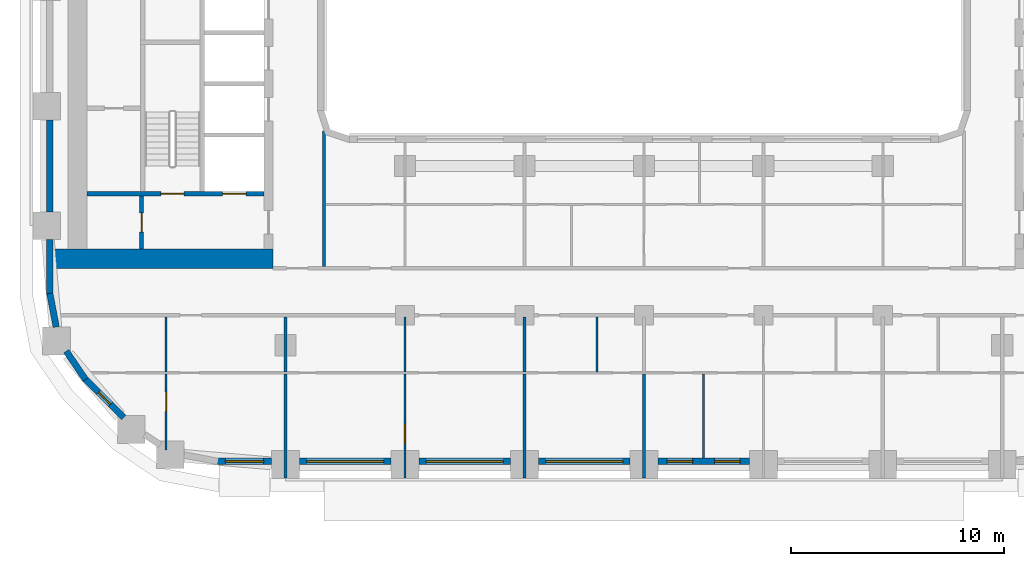
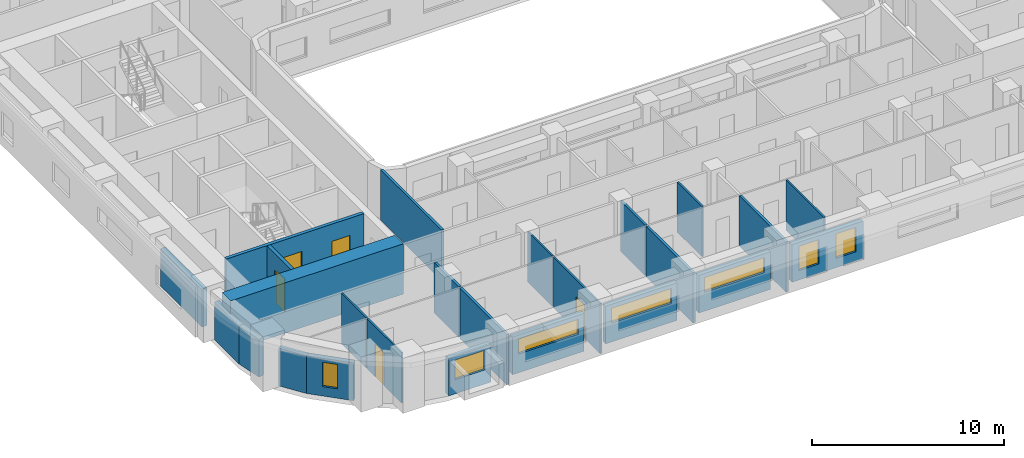
# One storey, part 2 of 22: 25 walls, 7 windows, 5 doors, 12 openings.
"""IFC4 building model written with IfcOpenShell, lengths in metres."""

from ifc_helpers import new_model, si_unit, direction, frame, frame_2d, origin, place, context, subcontext, project, spatial, rectangle, extrude, material, layer, layer_set, type_object, element, fill, save


model = new_model("IFC4")

# Units and contexts
model_context = context("Model", 3, precision=1e-05, world=origin(), true_north=direction((0.0, 1.0)))
body_context = subcontext(model_context, "Body", "Model", "MODEL_VIEW")
ifc_project = project(units=[si_unit("LENGTHUNIT", "METRE"), si_unit("AREAUNIT", "SQUARE_METRE"), si_unit("VOLUMEUNIT", "CUBIC_METRE"), si_unit("PLANEANGLEUNIT", "RADIAN"), si_unit("MASSUNIT", "GRAM", prefix="KILO")], contexts=[model_context])

# Site, building, storey
site_placement = place(None, origin())
site = spatial("IfcSite", under=ifc_project, at=site_placement, CompositionType="ELEMENT")
building_placement = place(site_placement, origin())
building = spatial("IfcBuilding", under=site, at=building_placement, Name="Kiln Ring Residences", CompositionType="ELEMENT")
storey_placement = place(building_placement, frame((0.0, 0.0, 97.300048828125)))
storey = spatial("IfcBuildingStorey", under=building, at=storey_placement, Name="L24", CompositionType="ELEMENT", Elevation=97.300048828125)

# Wall, opening, door
ifc_material_1 = material(Name="Gypsum board on steel studs", Category="steel")
ifc_layer_1 = layer(ifc_material_1, 0.199951171875)
ifc_layer_set_1 = layer_set([ifc_layer_1], Name="CORE-PARTITION-200")
wall_type_1 = type_object("IfcWallType", Name="CORE-PARTITION-200", PredefinedType="PARTITIONING", material=ifc_layer_set_1)
wall_1_placement = place(storey_placement, frame((-23.550048828125, -12.300048828125, 0.0), z_axis=(0.0, 0.0, 1.0), x_axis=(0.0, 1.0, 0.0)))
wall_1 = element("IfcWall", 1, at=wall_1_placement, inside=storey, type_object=wall_type_1, Name="Core partition west L24 4", PredefinedType="PARTITIONING", context=body_context, shape_type="SweptSolid", body=[
    extrude(rectangle(XDim=2.5, YDim=0.199951171875, at=frame_2d((1.25, 0.0))), origin(), (0.0, 0.0, 1.0), 3.199951171875),
])
opening_1_placement = place(wall_1_placement, frame((0.800048828125, 0.0, 0.0)))
opening_1 = element("IfcOpeningElement", 2, at=opening_1_placement, cuts=wall_1, Name="Opening L24-CW10", PredefinedType="OPENING", context=body_context, shape_type="SweptSolid", body=[
    extrude(rectangle(XDim=0.89990234375, YDim=2.10009765625, at=frame_2d((0.449951171875, 1.050048828125))), frame((0.0, 0.10986328125, 0.0), z_axis=(0.0, -1.0, 0.0), x_axis=(1.0, 0.0, 0.0)), (0.0, 0.0, 1.0), 0.219970703125),
])
ifc_material_2 = material(Name="Steel door leaf", Category="steel")
door_type_1 = type_object("IfcDoorType", Name="CORE-DOOR-ROOM", OperationType="SINGLE_SWING_LEFT", PredefinedType="DOOR", material=ifc_material_2)
door_1_placement = place(opening_1_placement, origin())
door_1 = element("IfcDoor", 3, at=door_1_placement, inside=storey, type_object=door_type_1, Name="Store L24-CW10", OperationType="SINGLE_SWING_RIGHT", OverallHeight=2.10009765625, OverallWidth=0.89990234375, PredefinedType="DOOR", context=body_context, shape_type="SweptSolid", body=[
    extrude(rectangle(XDim=0.89990234375, YDim=2.10009765625, at=frame_2d((0.449951171875, 1.050048828125))), frame((0.0, 0.02490234375, 0.0), z_axis=(0.0, -1.0, 0.0), x_axis=(1.0, 0.0, 0.0)), (0.0, 0.0, 1.0), 0.050048828125),
])
fill(opening_1, door_1)

# Wall, openings, doors
ifc_material_3 = material(Name="Concrete C40/50", Category="concrete")
ifc_layer_2 = layer(ifc_material_3, 0.199951171875)
ifc_layer_set_2 = layer_set([ifc_layer_2], Name="CORE-WALL-RC200")
wall_type_2 = type_object("IfcWallType", Name="CORE-WALL-RC200", PredefinedType="SHEAR", material=ifc_layer_set_2)
wall_2_placement = place(storey_placement, frame((-17.800048828125, -9.699951171875, 0.0), z_axis=(0.0, 0.0, 1.0), x_axis=(-1.0, 0.0, 0.0)))
wall_2 = element("IfcWall", 4, at=wall_2_placement, inside=storey, type_object=wall_type_2, Name="Core wall west L24 8", PredefinedType="SHEAR", context=body_context, shape_type="SweptSolid", body=[
    extrude(rectangle(XDim=8.300048828125, YDim=0.199951171875, at=frame_2d((4.14990234375, 0.0))), origin(), (0.0, 0.0, 1.0), 3.199951171875),
])
opening_2_placement = place(wall_2_placement, frame((0.85009765625, 0.0, 0.0)))
opening_2 = element("IfcOpeningElement", 5, at=opening_2_placement, cuts=wall_2, Name="Opening L24-CW01", PredefinedType="OPENING", context=body_context, shape_type="SweptSolid", body=[
    extrude(rectangle(XDim=1.10009765625, YDim=2.10009765625, at=frame_2d((0.550048828125, 1.050048828125))), frame((0.0, 0.10986328125, 0.0), z_axis=(0.0, -1.0, 0.0), x_axis=(1.0, 0.0, 0.0)), (0.0, 0.0, 1.0), 0.219970703125),
])
opening_3_placement = place(wall_2_placement, frame((3.75, 0.0, 0.0)))
opening_3 = element("IfcOpeningElement", 6, at=opening_3_placement, cuts=wall_2, Name="Opening L24-CW12", PredefinedType="OPENING", context=body_context, shape_type="SweptSolid", body=[
    extrude(rectangle(XDim=1.10009765625, YDim=2.10009765625, at=frame_2d((0.550048828125, 1.050048828125))), frame((0.0, 0.10986328125, 0.0), z_axis=(0.0, -1.0, 0.0), x_axis=(1.0, 0.0, 0.0)), (0.0, 0.0, 1.0), 0.219970703125),
])
ifc_material_4 = material(Name="Steel door leaf", Category="steel")
door_type_2 = type_object("IfcDoorType", Name="CORE-DOOR-LD", OperationType="DOUBLE_DOOR_SLIDING", PredefinedType="DOOR", material=ifc_material_4)
door_2_placement = place(opening_2_placement, origin())
door_2 = element("IfcDoor", 7, at=door_2_placement, inside=storey, type_object=door_type_2, Name="LD W-SV L24-CW01", OperationType="DOUBLE_DOOR_SLIDING", OverallHeight=2.10009765625, OverallWidth=1.10009765625, PredefinedType="DOOR", context=body_context, shape_type="SweptSolid", body=[
    extrude(rectangle(XDim=1.10009765625, YDim=2.10009765625, at=frame_2d((0.550048828125, 1.050048828125))), frame((0.0, 0.02490234375, 0.0), z_axis=(0.0, -1.0, 0.0), x_axis=(1.0, 0.0, 0.0)), (0.0, 0.0, 1.0), 0.050048828125),
])
fill(opening_2, door_2)
ifc_material_5 = material(Name="Steel door leaf", Category="steel")
door_type_3 = type_object("IfcDoorType", Name="CORE-DOOR-STAIR", OperationType="SINGLE_SWING_LEFT", PredefinedType="DOOR", material=ifc_material_5)
door_3_placement = place(opening_3_placement, origin())
door_3 = element("IfcDoor", 8, at=door_3_placement, inside=storey, type_object=door_type_3, Name="Stair W-STS L24-CW12", OperationType="SINGLE_SWING_LEFT", OverallHeight=2.10009765625, OverallWidth=1.10009765625, PredefinedType="DOOR", context=body_context, shape_type="SweptSolid", body=[
    extrude(rectangle(XDim=1.10009765625, YDim=2.10009765625, at=frame_2d((0.550048828125, 1.050048828125))), frame((0.0, 0.02490234375, 0.0), z_axis=(0.0, -1.0, 0.0), x_axis=(1.0, 0.0, 0.0)), (0.0, 0.0, 1.0), 0.050048828125),
])
fill(opening_3, door_3)

# Wall
ifc_material_6 = material(Name="Concrete C60/75", Category="concrete")
ifc_layer_3 = layer(ifc_material_6, 0.89990234375)
ifc_layer_set_3 = layer_set([ifc_layer_3], Name="CORE-WALL-RC900")
wall_type_3 = type_object("IfcWallType", Name="CORE-WALL-RC900", PredefinedType="SHEAR", material=ifc_layer_set_3)
wall_3_placement = place(storey_placement, frame((-17.39990234375, -12.75, 0.0), z_axis=(0.0, 0.0, 1.0), x_axis=(-1.0, 0.0, 0.0)))
element("IfcWall", 9, at=wall_3_placement, inside=storey, type_object=wall_type_3, Name="Core wall west L24 5", PredefinedType="SHEAR", context=body_context, shape_type="SweptSolid", body=[
    extrude(rectangle(XDim=10.400146484375, YDim=0.89990234375, at=frame_2d((5.2001953125, 0.0))), origin(), (0.0, 0.0, 1.0), 3.199951171875),
])

# Wall, opening, window
ifc_material_7 = material(Name="Brick masonry, dark clay brick", Category="masonry")
ifc_layer_4 = layer(ifc_material_7, 0.300048828125)
ifc_layer_set_4 = layer_set([ifc_layer_4], Name="EW-300 BRICK WALL")
wall_type_4 = type_object("IfcWallType", Name="EW-300 BRICK WALL", PredefinedType="SOLIDWALL", material=ifc_layer_set_4)
wall_4_placement = place(storey_placement, frame((-26.19677734375, -18.390869140625, 0.0), z_axis=(0.0, 0.0, 1.0), x_axis=(0.707058908279, -0.707154650853, 0.0)))
wall_4 = element("IfcWall", 10, at=wall_4_placement, inside=storey, type_object=wall_type_4, Name="Facade wall L24 1", PredefinedType="SOLIDWALL", context=body_context, shape_type="SweptSolid", body=[
    extrude(rectangle(XDim=2.550048828125, YDim=0.300048828125, at=frame_2d((1.27490234375, 0.0))), origin(), (0.0, 0.0, 1.0), 2.39990234375),
])
opening_4_placement = place(wall_4_placement, frame((0.875, 0.0, 0.60009765625)))
opening_4 = element("IfcOpeningElement", 11, at=opening_4_placement, cuts=wall_4, Name="Opening W5", PredefinedType="OPENING", context=body_context, shape_type="SweptSolid", body=[
    extrude(rectangle(XDim=0.800048828125, YDim=1.550048828125, at=frame_2d((0.39990234375, 0.77490234375))), frame((0.0, 0.159912109375, 0.0), z_axis=(0.0, -1.0, 0.0), x_axis=(1.0, 0.0, 0.0)), (0.0, 0.0, 1.0), 0.320068359375),
])
ifc_material_8 = material(Name="Aluminium frame with double glazing", Category="aluminium")
window_type_1 = type_object("IfcWindowType", Name="WINDOW 800 x 1550", PartitioningType="SINGLE_PANEL", PredefinedType="WINDOW", material=ifc_material_8)
window_1_placement = place(opening_4_placement, origin())
window_1 = element("IfcWindow", 12, at=window_1_placement, inside=storey, type_object=window_type_1, Name="Window L24 1", OverallHeight=1.550048828125, OverallWidth=0.800048828125, PartitioningType="SINGLE_PANEL", PredefinedType="WINDOW", context=body_context, shape_type="SweptSolid", body=[
    extrude(rectangle(XDim=0.800048828125, YDim=1.550048828125, at=frame_2d((0.39990234375, 0.77490234375))), frame((0.0, 0.030029296875, 0.0), z_axis=(0.0, -1.0, 0.0), x_axis=(1.0, 0.0, 0.0)), (0.0, 0.0, 1.0), 0.06005859375),
])
fill(opening_4, window_1)

wall_5_placement = place(storey_placement, frame((-20.0, -22.25, 0.0), z_axis=(0.0, 0.0, 1.0), x_axis=(1.0, 0.0, 0.0)))
wall_5 = element("IfcWall", 13, at=wall_5_placement, inside=storey, type_object=wall_type_4, Name="Facade wall L24 4", PredefinedType="SOLIDWALL", context=body_context, shape_type="SweptSolid", body=[
    extrude(rectangle(XDim=2.550048828125, YDim=0.300048828125, at=frame_2d((1.27490234375, 0.0))), origin(), (0.0, 0.0, 1.0), 2.39990234375),
])
opening_5_placement = place(wall_5_placement, frame((0.375, 0.0, 0.89990234375)))
opening_5 = element("IfcOpeningElement", 14, at=opening_5_placement, cuts=wall_5, Name="Opening W2", PredefinedType="OPENING", context=body_context, shape_type="SweptSolid", body=[
    extrude(rectangle(XDim=1.800048828125, YDim=1.25, at=frame_2d((0.89990234375, 0.625))), frame((0.0, 0.159912109375, 0.0), z_axis=(0.0, -1.0, 0.0), x_axis=(1.0, 0.0, 0.0)), (0.0, 0.0, 1.0), 0.320068359375),
])
ifc_material_9 = material(Name="Aluminium frame with double glazing", Category="aluminium")
window_type_2 = type_object("IfcWindowType", Name="WINDOW 1800 x 1250", PartitioningType="SINGLE_PANEL", PredefinedType="WINDOW", material=ifc_material_9)
window_2_placement = place(opening_5_placement, origin())
window_2 = element("IfcWindow", 15, at=window_2_placement, inside=storey, type_object=window_type_2, Name="Window L24 2", OverallHeight=1.25, OverallWidth=1.800048828125, PartitioningType="SINGLE_PANEL", PredefinedType="WINDOW", context=body_context, shape_type="SweptSolid", body=[
    extrude(rectangle(XDim=1.800048828125, YDim=1.25, at=frame_2d((0.89990234375, 0.625))), frame((0.0, 0.030029296875, 0.0), z_axis=(0.0, -1.0, 0.0), x_axis=(1.0, 0.0, 0.0)), (0.0, 0.0, 1.0), 0.06005859375),
])
fill(opening_5, window_2)

wall_6_placement = place(storey_placement, frame((-16.14990234375, -22.25, 0.0), z_axis=(0.0, 0.0, 1.0), x_axis=(1.0, 0.0, 0.0)))
wall_6 = element("IfcWall", 16, at=wall_6_placement, inside=storey, type_object=wall_type_4, Name="Facade wall L24 5", PredefinedType="SOLIDWALL", context=body_context, shape_type="SweptSolid", body=[
    extrude(rectangle(XDim=4.2998046875, YDim=0.300048828125, at=frame_2d((2.14990234375, 0.0))), origin(), (0.0, 0.0, 1.0), 2.39990234375),
])
opening_6_placement = place(wall_6_placement, frame((0.35009765625, 0.0, 1.199951171875)))
opening_6 = element("IfcOpeningElement", 17, at=opening_6_placement, cuts=wall_6, Name="Opening W4", PredefinedType="OPENING", context=body_context, shape_type="SweptSolid", body=[
    extrude(rectangle(XDim=3.60009765625, YDim=0.949951171875, at=frame_2d((1.800048828125, 0.47509765625))), frame((0.0, 0.159912109375, 0.0), z_axis=(0.0, -1.0, 0.0), x_axis=(1.0, 0.0, 0.0)), (0.0, 0.0, 1.0), 0.320068359375),
])
ifc_material_10 = material(Name="Aluminium frame with double glazing", Category="aluminium")
window_type_3 = type_object("IfcWindowType", Name="WINDOW 3600 x 950", PartitioningType="SINGLE_PANEL", PredefinedType="WINDOW", material=ifc_material_10)
window_3_placement = place(opening_6_placement, origin())
window_3 = element("IfcWindow", 18, at=window_3_placement, inside=storey, type_object=window_type_3, Name="Window L24 3", OverallHeight=0.949951171875, OverallWidth=3.60009765625, PartitioningType="SINGLE_PANEL", PredefinedType="WINDOW", context=body_context, shape_type="SweptSolid", body=[
    extrude(rectangle(XDim=3.60009765625, YDim=0.949951171875, at=frame_2d((1.800048828125, 0.47509765625))), frame((0.0, 0.030029296875, 0.0), z_axis=(0.0, -1.0, 0.0), x_axis=(1.0, 0.0, 0.0)), (0.0, 0.0, 1.0), 0.06005859375),
])
fill(opening_6, window_3)

wall_7_placement = place(storey_placement, frame((-10.550048828125, -22.25, 0.0), z_axis=(0.0, 0.0, 1.0), x_axis=(1.0, 0.0, 0.0)))
wall_7 = element("IfcWall", 19, at=wall_7_placement, inside=storey, type_object=wall_type_4, Name="Facade wall L24 6", PredefinedType="SOLIDWALL", context=body_context, shape_type="SweptSolid", body=[
    extrude(rectangle(XDim=4.300048828125, YDim=0.300048828125, at=frame_2d((2.14990234375, 0.0))), origin(), (0.0, 0.0, 1.0), 2.39990234375),
])
opening_7_placement = place(wall_7_placement, frame((0.35009765625, 0.0, 1.199951171875)))
opening_7 = element("IfcOpeningElement", 20, at=opening_7_placement, cuts=wall_7, Name="Opening W4", PredefinedType="OPENING", context=body_context, shape_type="SweptSolid", body=[
    extrude(rectangle(XDim=3.60009765625, YDim=0.949951171875, at=frame_2d((1.800048828125, 0.47509765625))), frame((0.0, 0.159912109375, 0.0), z_axis=(0.0, -1.0, 0.0), x_axis=(1.0, 0.0, 0.0)), (0.0, 0.0, 1.0), 0.320068359375),
])
window_4_placement = place(opening_7_placement, origin())
window_4 = element("IfcWindow", 21, at=window_4_placement, inside=storey, type_object=window_type_3, Name="Window L24 4", OverallHeight=0.949951171875, OverallWidth=3.60009765625, PartitioningType="SINGLE_PANEL", PredefinedType="WINDOW", context=body_context, shape_type="SweptSolid", body=[
    extrude(rectangle(XDim=3.60009765625, YDim=0.949951171875, at=frame_2d((1.800048828125, 0.47509765625))), frame((0.0, 0.030029296875, 0.0), z_axis=(0.0, -1.0, 0.0), x_axis=(1.0, 0.0, 0.0)), (0.0, 0.0, 1.0), 0.06005859375),
])
fill(opening_7, window_4)

wall_8_placement = place(storey_placement, frame((-4.949951171875, -22.25, 0.0), z_axis=(0.0, 0.0, 1.0), x_axis=(1.0, 0.0, 0.0)))
wall_8 = element("IfcWall", 22, at=wall_8_placement, inside=storey, type_object=wall_type_4, Name="Facade wall L24 7", PredefinedType="SOLIDWALL", context=body_context, shape_type="SweptSolid", body=[
    extrude(rectangle(XDim=4.300048828125, YDim=0.300048828125, at=frame_2d((2.14990234375, 0.0))), origin(), (0.0, 0.0, 1.0), 2.39990234375),
])
opening_8_placement = place(wall_8_placement, frame((0.35009765625, 0.0, 1.199951171875)))
opening_8 = element("IfcOpeningElement", 23, at=opening_8_placement, cuts=wall_8, Name="Opening W4", PredefinedType="OPENING", context=body_context, shape_type="SweptSolid", body=[
    extrude(rectangle(XDim=3.60009765625, YDim=0.949951171875, at=frame_2d((1.800048828125, 0.47509765625))), frame((0.0, 0.159912109375, 0.0), z_axis=(0.0, -1.0, 0.0), x_axis=(1.0, 0.0, 0.0)), (0.0, 0.0, 1.0), 0.320068359375),
])
window_5_placement = place(opening_8_placement, origin())
window_5 = element("IfcWindow", 24, at=window_5_placement, inside=storey, type_object=window_type_3, Name="Window L24 5", OverallHeight=0.949951171875, OverallWidth=3.60009765625, PartitioningType="SINGLE_PANEL", PredefinedType="WINDOW", context=body_context, shape_type="SweptSolid", body=[
    extrude(rectangle(XDim=3.60009765625, YDim=0.949951171875, at=frame_2d((1.800048828125, 0.47509765625))), frame((0.0, 0.030029296875, 0.0), z_axis=(0.0, -1.0, 0.0), x_axis=(1.0, 0.0, 0.0)), (0.0, 0.0, 1.0), 0.06005859375),
])
fill(opening_8, window_5)

# Wall, openings, windows
wall_9_placement = place(storey_placement, frame((0.64990234375, -22.25, 0.0), z_axis=(0.0, 0.0, 1.0), x_axis=(1.0, 0.0, 0.0)))
wall_9 = element("IfcWall", 25, at=wall_9_placement, inside=storey, type_object=wall_type_4, Name="Facade wall L24 8", PredefinedType="SOLIDWALL", context=body_context, shape_type="SweptSolid", body=[
    extrude(rectangle(XDim=4.300048828125, YDim=0.300048828125, at=frame_2d((2.14990234375, 0.0))), origin(), (0.0, 0.0, 1.0), 2.39990234375),
])
opening_9_placement = place(wall_9_placement, frame((0.4375, 0.0, 0.60009765625)))
opening_9 = element("IfcOpeningElement", 26, at=opening_9_placement, cuts=wall_9, Name="Opening W1", PredefinedType="OPENING", context=body_context, shape_type="SweptSolid", body=[
    extrude(rectangle(XDim=1.199951171875, YDim=1.550048828125, at=frame_2d((0.60009765625, 0.77490234375))), frame((0.0, 0.159912109375, 0.0), z_axis=(0.0, -1.0, 0.0), x_axis=(1.0, 0.0, 0.0)), (0.0, 0.0, 1.0), 0.320068359375),
])
opening_10_placement = place(wall_9_placement, frame((2.66259765625, 0.0, 0.60009765625)))
opening_10 = element("IfcOpeningElement", 27, at=opening_10_placement, cuts=wall_9, Name="Opening W1", PredefinedType="OPENING", context=body_context, shape_type="SweptSolid", body=[
    extrude(rectangle(XDim=1.199951171875, YDim=1.550048828125, at=frame_2d((0.60009765625, 0.77490234375))), frame((0.0, 0.159912109375, 0.0), z_axis=(0.0, -1.0, 0.0), x_axis=(1.0, 0.0, 0.0)), (0.0, 0.0, 1.0), 0.320068359375),
])
ifc_material_11 = material(Name="Aluminium frame with double glazing", Category="aluminium")
window_type_4 = type_object("IfcWindowType", Name="WINDOW 1200 x 1550", PartitioningType="SINGLE_PANEL", PredefinedType="WINDOW", material=ifc_material_11)
window_6_placement = place(opening_9_placement, origin())
window_6 = element("IfcWindow", 28, at=window_6_placement, inside=storey, type_object=window_type_4, Name="Window L24 6", OverallHeight=1.550048828125, OverallWidth=1.199951171875, PartitioningType="SINGLE_PANEL", PredefinedType="WINDOW", context=body_context, shape_type="SweptSolid", body=[
    extrude(rectangle(XDim=1.199951171875, YDim=1.550048828125, at=frame_2d((0.60009765625, 0.77490234375))), frame((0.0, 0.030029296875, 0.0), z_axis=(0.0, -1.0, 0.0), x_axis=(1.0, 0.0, 0.0)), (0.0, 0.0, 1.0), 0.06005859375),
])
fill(opening_9, window_6)
window_7_placement = place(opening_10_placement, origin())
window_7 = element("IfcWindow", 29, at=window_7_placement, inside=storey, type_object=window_type_4, Name="Window L24 7", OverallHeight=1.550048828125, OverallWidth=1.199951171875, PartitioningType="SINGLE_PANEL", PredefinedType="WINDOW", context=body_context, shape_type="SweptSolid", body=[
    extrude(rectangle(XDim=1.199951171875, YDim=1.550048828125, at=frame_2d((0.60009765625, 0.77490234375))), frame((0.0, 0.030029296875, 0.0), z_axis=(0.0, -1.0, 0.0), x_axis=(1.0, 0.0, 0.0)), (0.0, 0.0, 1.0), 0.06005859375),
])
fill(opening_10, window_7)

# Walls
wall_10_placement = place(storey_placement, frame((-27.85009765625, -6.25, 0.0), z_axis=(0.0, 0.0, 1.0), x_axis=(0.0, -1.0, 0.0)))
element("IfcWall", 30, at=wall_10_placement, inside=storey, type_object=wall_type_4, Name="Facade wall L24 45", PredefinedType="SOLIDWALL", context=body_context, shape_type="SweptSolid", body=[
    extrude(rectangle(XDim=4.300048828125, YDim=0.300048828125, at=frame_2d((2.14990234375, 0.0))), origin(), (0.0, 0.0, 1.0), 2.39990234375),
])
wall_11_placement = place(storey_placement, frame((-27.85009765625, -11.85009765625, 0.0), z_axis=(0.0, 0.0, 1.0), x_axis=(0.0, -1.0, 0.0)))
element("IfcWall", 31, at=wall_11_placement, inside=storey, type_object=wall_type_4, Name="Facade wall L24 46", PredefinedType="SOLIDWALL", context=body_context, shape_type="SweptSolid", body=[
    extrude(rectangle(XDim=2.5498046875, YDim=0.300048828125, at=frame_2d((1.27490234375, 0.0))), origin(), (0.0, 0.0, 1.0), 2.39990234375),
])
for number, where, z_axis, x_axis, name in (
    (32, (-27.8525390625, -14.371826171875, 0.0), (0.0, 0.0, 1.0), (0.187279751651, -0.982306619453, 0.0), "Facade wall L24 47"),
    (33, (-27.08154296875, -17.08447265625, 0.0), (0.0, 0.0, 1.0), (0.562010605531, -0.827130025613, 0.0), "Facade wall L24 48"),
):
    element("IfcWall", number, at=place(storey_placement, frame(where, z_axis=z_axis, x_axis=x_axis)), inside=storey, type_object=wall_type_4, Name=name, PredefinedType="SOLIDWALL", context=body_context, shape_type="SweptSolid", body=[
        extrude(rectangle(XDim=1.60595703125, YDim=0.300048828125, at=frame_2d((0.802978515625, 0.0))), origin(), (0.0, 0.0, 1.0), 2.39990234375),
    ])

# Wall, opening, door
ifc_material_12 = material(Name="Gypsum board on steel studs", Category="steel")
ifc_layer_5 = layer(ifc_material_12, 0.10009765625)
ifc_layer_set_5 = layer_set([ifc_layer_5], Name="PARTITION-100")
wall_type_5 = type_object("IfcWallType", Name="PARTITION-100", PredefinedType="PARTITIONING", material=ifc_layer_set_5)
wall_12_placement = place(storey_placement, frame((-22.39990234375, -21.719970703125, 0.0), z_axis=(0.0, 0.0, 1.0), x_axis=(0.0, 1.0, 0.0)))
wall_12 = element("IfcWall", 34, at=wall_12_placement, inside=storey, type_object=wall_type_5, Name="Partition 008", PredefinedType="PARTITIONING", context=body_context, shape_type="SweptSolid", body=[
    extrude(rectangle(XDim=3.570068359375, YDim=0.10009765625, at=frame_2d((1.78515625, 0.0))), origin(), (0.0, 0.0, 1.0), 3.199951171875),
])
opening_11_placement = place(wall_12_placement, frame((1.820068359375, 0.0, 0.0)))
opening_11 = element("IfcOpeningElement", 35, at=opening_11_placement, cuts=wall_12, Name="Opening L24-D060", PredefinedType="OPENING", context=body_context, shape_type="SweptSolid", body=[
    extrude(rectangle(XDim=0.89990234375, YDim=2.10009765625, at=frame_2d((0.449951171875, 1.050048828125))), frame((0.0, 0.06005859375, 0.0), z_axis=(0.0, -1.0, 0.0), x_axis=(1.0, 0.0, 0.0)), (0.0, 0.0, 1.0), 0.1201171875),
])
ifc_material_13 = material(Name="Timber door leaf", Category="wood")
door_type_4 = type_object("IfcDoorType", Name="FLAT-DOOR-900-PL", OperationType="SINGLE_SWING_LEFT", PredefinedType="DOOR", material=ifc_material_13)
door_4_placement = place(opening_11_placement, origin())
door_4 = element("IfcDoor", 36, at=door_4_placement, inside=storey, type_object=door_type_4, Name="Door L24-D060", OperationType="SINGLE_SWING_LEFT", OverallHeight=2.10009765625, OverallWidth=0.89990234375, PredefinedType="DOOR", context=body_context, shape_type="SweptSolid", body=[
    extrude(rectangle(XDim=0.89990234375, YDim=2.10009765625, at=frame_2d((0.449951171875, 1.050048828125))), frame((0.0, 0.02490234375, 0.0), z_axis=(0.0, -1.0, 0.0), x_axis=(1.0, 0.0, 0.0)), (0.0, 0.0, 1.0), 0.050048828125),
])
fill(opening_11, door_4)

# Wall
wall_13_placement = place(storey_placement, frame((-22.39990234375, -18.050048828125, 0.0), z_axis=(0.0, 0.0, 1.0), x_axis=(0.0, 1.0, 0.0)))
element("IfcWall", 37, at=wall_13_placement, inside=storey, type_object=wall_type_5, Name="Partition 009", PredefinedType="PARTITIONING", context=body_context, shape_type="SweptSolid", body=[
    extrude(rectangle(XDim=2.574951171875, YDim=0.10009765625, at=frame_2d((1.28759765625, 0.0))), origin(), (0.0, 0.0, 1.0), 3.199951171875),
])

# Wall, opening, door
wall_14_placement = place(storey_placement, frame((-11.199951171875, -23.030029296875, 0.0), z_axis=(0.0, 0.0, 1.0), x_axis=(0.0, 1.0, 0.0)))
wall_14 = element("IfcWall", 38, at=wall_14_placement, inside=storey, type_object=wall_type_5, Name="Partition 019", PredefinedType="PARTITIONING", context=body_context, shape_type="SweptSolid", body=[
    extrude(rectangle(XDim=4.880126953125, YDim=0.10009765625, at=frame_2d((2.43994140625, 0.0))), origin(), (0.0, 0.0, 1.0), 3.199951171875),
])
opening_12_placement = place(wall_14_placement, frame((1.6298828125, 0.0, 0.0)))
opening_12 = element("IfcOpeningElement", 39, at=opening_12_placement, cuts=wall_14, Name="Opening L24-D064", PredefinedType="OPENING", context=body_context, shape_type="SweptSolid", body=[
    extrude(rectangle(XDim=0.89990234375, YDim=2.10009765625, at=frame_2d((0.449951171875, 1.050048828125))), frame((0.0, 0.06005859375, 0.0), z_axis=(0.0, -1.0, 0.0), x_axis=(1.0, 0.0, 0.0)), (0.0, 0.0, 1.0), 0.1201171875),
])
door_5_placement = place(opening_12_placement, origin())
door_5 = element("IfcDoor", 40, at=door_5_placement, inside=storey, type_object=door_type_4, Name="Door L24-D064", OperationType="SINGLE_SWING_RIGHT", OverallHeight=2.10009765625, OverallWidth=0.89990234375, PredefinedType="DOOR", context=body_context, shape_type="SweptSolid", body=[
    extrude(rectangle(XDim=0.89990234375, YDim=2.10009765625, at=frame_2d((0.449951171875, 1.050048828125))), frame((0.0, 0.02490234375, 0.0), z_axis=(0.0, -1.0, 0.0), x_axis=(1.0, 0.0, 0.0)), (0.0, 0.0, 1.0), 0.050048828125),
])
fill(opening_12, door_5)

# Walls
for number, where, z_axis, x_axis, name in (
    (41, (-11.199951171875, -18.050048828125, 0.0), (0.0, 0.0, 1.0), (0.0, 1.0, 0.0), "Partition 020"),
    (42, (-2.199951171875, -18.050048828125, 0.0), (0.0, 0.0, 1.0), (0.0, 1.0, 0.0), "Partition 039"),
):
    element("IfcWall", number, at=place(storey_placement, frame(where, z_axis=z_axis, x_axis=x_axis)), inside=storey, type_object=wall_type_5, Name=name, PredefinedType="PARTITIONING", context=body_context, shape_type="SweptSolid", body=[
        extrude(rectangle(XDim=2.574951171875, YDim=0.10009765625, at=frame_2d((1.28759765625, 0.0))), origin(), (0.0, 0.0, 1.0), 3.199951171875),
    ])
wall_15_placement = place(storey_placement, frame((2.800048828125, -22.080078125, 0.0), z_axis=(0.0, 0.0, 1.0), x_axis=(0.0, 1.0, 0.0)))
element("IfcWall", 43, at=wall_15_placement, inside=storey, type_object=wall_type_5, Name="Partition 050", PredefinedType="PARTITIONING", context=body_context, shape_type="SweptSolid", body=[
    extrude(rectangle(XDim=3.93017578125, YDim=0.10009765625, at=frame_2d((1.965087890625, 0.0))), origin(), (0.0, 0.0, 1.0), 3.199951171875),
])
ifc_material_14 = material(Name="Brick masonry partition", Category="masonry")
ifc_layer_6 = layer(ifc_material_14, 0.14990234375)
ifc_layer_set_6 = layer_set([ifc_layer_6], Name="PARTITION-150-ei60")
wall_type_6 = type_object("IfcWallType", Name="PARTITION-150-ei60", PredefinedType="PARTITIONING", material=ifc_layer_set_6)
wall_16_placement = place(storey_placement, frame((-16.800048828125, -23.030029296875, 0.0), z_axis=(0.0, 0.0, 1.0), x_axis=(0.0, 1.0, 0.0)))
element("IfcWall", 44, at=wall_16_placement, inside=storey, type_object=wall_type_6, Name="Partition 012", PredefinedType="PARTITIONING", context=body_context, shape_type="SweptSolid", body=[
    extrude(rectangle(XDim=4.880126953125, YDim=0.14990234375, at=frame_2d((2.43994140625, 0.0))), origin(), (0.0, 0.0, 1.0), 3.199951171875),
])
wall_17_placement = place(storey_placement, frame((-16.800048828125, -18.050048828125, 0.0), z_axis=(0.0, 0.0, 1.0), x_axis=(0.0, 1.0, 0.0)))
element("IfcWall", 45, at=wall_17_placement, inside=storey, type_object=wall_type_6, Name="Partition 013", PredefinedType="PARTITIONING", context=body_context, shape_type="SweptSolid", body=[
    extrude(rectangle(XDim=2.574951171875, YDim=0.14990234375, at=frame_2d((1.28759765625, 0.0))), origin(), (0.0, 0.0, 1.0), 3.199951171875),
])
wall_18_placement = place(storey_placement, frame((-15.0, -13.125, 0.0), z_axis=(0.0, 0.0, 1.0), x_axis=(0.0, 1.0, 0.0)))
element("IfcWall", 46, at=wall_18_placement, inside=storey, type_object=wall_type_6, Name="Partition 016", PredefinedType="PARTITIONING", context=body_context, shape_type="SweptSolid", body=[
    extrude(rectangle(XDim=6.356201171875, YDim=0.14990234375, at=frame_2d((3.17822265625, 0.0))), origin(), (0.0, 0.0, 1.0), 3.199951171875),
])
wall_19_placement = place(storey_placement, frame((-5.60009765625, -23.030029296875, 0.0), z_axis=(0.0, 0.0, 1.0), x_axis=(0.0, 1.0, 0.0)))
element("IfcWall", 47, at=wall_19_placement, inside=storey, type_object=wall_type_6, Name="Partition 028", PredefinedType="PARTITIONING", context=body_context, shape_type="SweptSolid", body=[
    extrude(rectangle(XDim=4.880126953125, YDim=0.14990234375, at=frame_2d((2.43994140625, 0.0))), origin(), (0.0, 0.0, 1.0), 3.199951171875),
])
wall_20_placement = place(storey_placement, frame((-5.60009765625, -18.050048828125, 0.0), z_axis=(0.0, 0.0, 1.0), x_axis=(0.0, 1.0, 0.0)))
element("IfcWall", 48, at=wall_20_placement, inside=storey, type_object=wall_type_6, Name="Partition 029", PredefinedType="PARTITIONING", context=body_context, shape_type="SweptSolid", body=[
    extrude(rectangle(XDim=2.574951171875, YDim=0.14990234375, at=frame_2d((1.28759765625, 0.0))), origin(), (0.0, 0.0, 1.0), 3.199951171875),
])
wall_21_placement = place(storey_placement, frame((0.0, -23.030029296875, 0.0), z_axis=(0.0, 0.0, 1.0), x_axis=(0.0, 1.0, 0.0)))
element("IfcWall", 49, at=wall_21_placement, inside=storey, type_object=wall_type_6, Name="Partition 042", PredefinedType="PARTITIONING", context=body_context, shape_type="SweptSolid", body=[
    extrude(rectangle(XDim=4.880126953125, YDim=0.14990234375, at=frame_2d((2.43994140625, 0.0))), origin(), (0.0, 0.0, 1.0), 3.199951171875),
])

save(model, "model.ifc")
